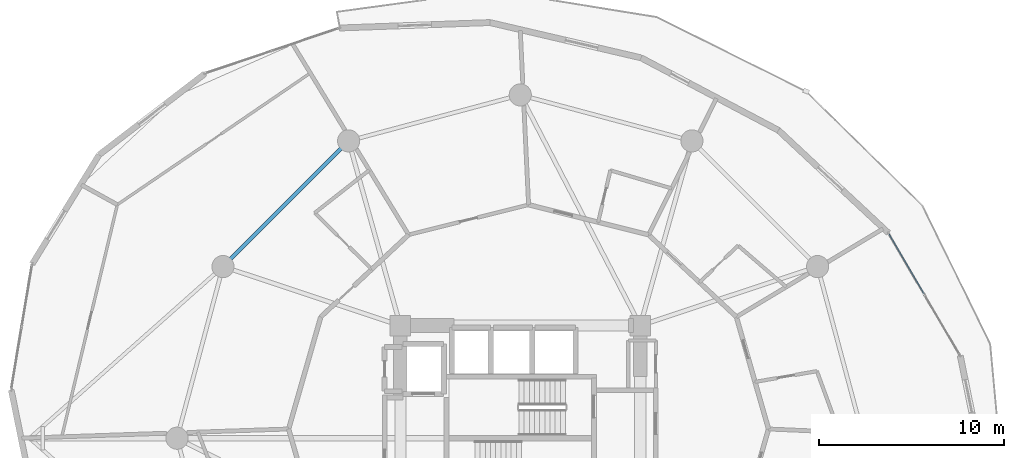
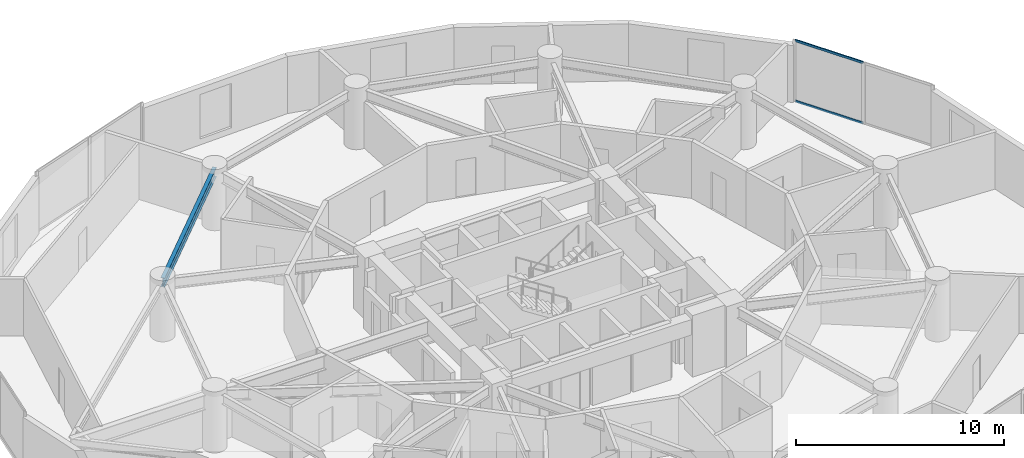
# One storey, part 11 of 23: 2 members, 1 beam, 1 element without a shape of its own.
"""IFC4 building model written with IfcOpenShell, lengths in metres."""

from ifc_helpers import new_model, si_unit, direction, frame, origin, origin_2d, place, context, subcontext, project, spatial, hollow_rectangle, i_section, extrude, source, transform, mapped, material, layer, layer_set, material_profile, profile_set, type_object, element, aggregate, save


model = new_model("IFC4")

# Units and contexts
model_context = context("Model", 3, precision=1e-05, world=origin(), true_north=direction((0.0, 1.0)))
body_context = subcontext(model_context, "Body", "Model", "MODEL_VIEW")
ifc_project = project(units=[si_unit("LENGTHUNIT", "METRE"), si_unit("AREAUNIT", "SQUARE_METRE"), si_unit("VOLUMEUNIT", "CUBIC_METRE"), si_unit("PLANEANGLEUNIT", "RADIAN"), si_unit("MASSUNIT", "GRAM", prefix="KILO")], contexts=[model_context])

# Site, building, storey
site_placement = place(None, origin())
site = spatial("IfcSite", under=ifc_project, at=site_placement, CompositionType="ELEMENT")
building_placement = place(site_placement, origin())
building = spatial("IfcBuilding", under=site, at=building_placement, Name="Solvirekh Grand Hotel", CompositionType="ELEMENT")
storey_placement = place(building_placement, frame((0.0, 0.0, 75.199951171875)))
storey = spatial("IfcBuildingStorey", under=building, at=storey_placement, Name="L18", CompositionType="ELEMENT", Elevation=75.199951171875)

# Beam
ifc_material_1 = material(Name="Steel S355", Category="steel")
ifc_material_profile_1 = material_profile(ifc_material_1, i_section(OverallWidth=0.208984375, OverallDepth=0.532958984375, WebThickness=0.010009765625, FlangeThickness=0.014892578125, FilletRadius=0.013916015625, at=origin_2d()), Name="W530X92")
ifc_profile_set_1 = profile_set([ifc_material_profile_1], Name="Steel S355")
beam_type = type_object("IfcBeamType", Name="Spandrel_Ring_W530", PredefinedType="SPANDREL", material=ifc_profile_set_1)
beam_placement = place(storey_placement, frame((-9.300048828125, 16.10791015625, 3.073974609375), z_axis=(-0.707106781187, -0.707106781187, 0.0), x_axis=(0.707106781187, -0.707106781187, 0.0)))
element("IfcBeam", 1, at=beam_placement, inside=storey, type_object=beam_type, Name="L18 perimeter spandrel beam 5", PredefinedType="SPANDREL", context=body_context, shape_type="SweptSolid", body=[
    extrude(i_section(OverallWidth=0.208984375, OverallDepth=0.532958984375, WebThickness=0.010009765625, FlangeThickness=0.014892578125, FilletRadius=0.013916015625, at=origin_2d()), origin(), (0.0, 0.0, 1.0), 9.627685546875),
])

# Curtain wall, members
ifc_material_2 = material(Name="Anodized Bronze Aluminium 6063-T6", Category="aluminium")
ifc_layer = layer(ifc_material_2, 0.18994140625)
ifc_layer_set = layer_set([ifc_layer], Name="Anodized Bronze Aluminium 6063-T6")
curtain_wall_type = type_object("IfcCurtainWallType", Name="CW_Sys2_LowZoneFlushBronzeCW", PredefinedType="NOTDEFINED", material=ifc_layer_set)
curtain_wall_placement = place(storey_placement, origin())
curtain_wall = element("IfcCurtainWall", 2, at=curtain_wall_placement, inside=storey, type_object=curtain_wall_type, Name="L18 unitised bronze-glass curtain wall CW-L18-C03", PredefinedType="NOTDEFINED")
ifc_material_profile_2 = material_profile(ifc_material_2, hollow_rectangle(XDim=0.06005859375, YDim=0.135009765625, WallThickness=0.00390625, at=origin_2d()), Name="ALU RHS 135X60X4")
ifc_profile_set_2 = profile_set([ifc_material_profile_2], Name="Anodized Bronze Aluminium 6063-T6")
member_type = type_object("IfcMemberType", Name="CWTransom_Sys2", PredefinedType="USERDEFINED", material=ifc_profile_set_2)
shared_shape = source(origin(), body_context, "Body", "SweptSolid", [
    extrude(hollow_rectangle(XDim=0.06005859375, YDim=0.135009765625, WallThickness=0.00390625, at=origin_2d()), origin(), (0.0, 0.0, 1.0), 3.747802734375),
])
member_1_placement = place(storey_placement, frame((21.872802734375, 7.826171875, 0.030029296875), z_axis=(-0.505231267031, 0.862983989895, 0.0), x_axis=(-0.862983989895, -0.505231267031, 0.0)))
member_1 = element("IfcMember", 3, at=member_1_placement, type_object=member_type, Name="U02 transom 2.1", ObjectType="TRANSOM", PredefinedType="USERDEFINED", context=body_context, shape_type="MappedRepresentation", body=[
    mapped(shared_shape, transform((0.0, 0.0, 0.0), x_axis=(1.0, 0.0, 0.0), y_axis=(0.0, 1.0, 0.0), z_axis=(0.0, 0.0, 1.0), scale=1.0)),
])
member_2_placement = place(storey_placement, frame((21.872802734375, 7.826171875, 3.570068359375), z_axis=(-0.505231267031, 0.862983989895, 0.0), x_axis=(-0.862983989895, -0.505231267031, 0.0)))
member_2 = element("IfcMember", 4, at=member_2_placement, type_object=member_type, Name="U02 transom 2.2", ObjectType="TRANSOM", PredefinedType="USERDEFINED", context=body_context, shape_type="MappedRepresentation", body=[
    mapped(shared_shape, transform((0.0, 0.0, 0.0), x_axis=(1.0, 0.0, 0.0), y_axis=(0.0, 1.0, 0.0), z_axis=(0.0, 0.0, 1.0), scale=1.0)),
])
aggregate(curtain_wall, [member_1, member_2])

save(model, "model.ifc")
